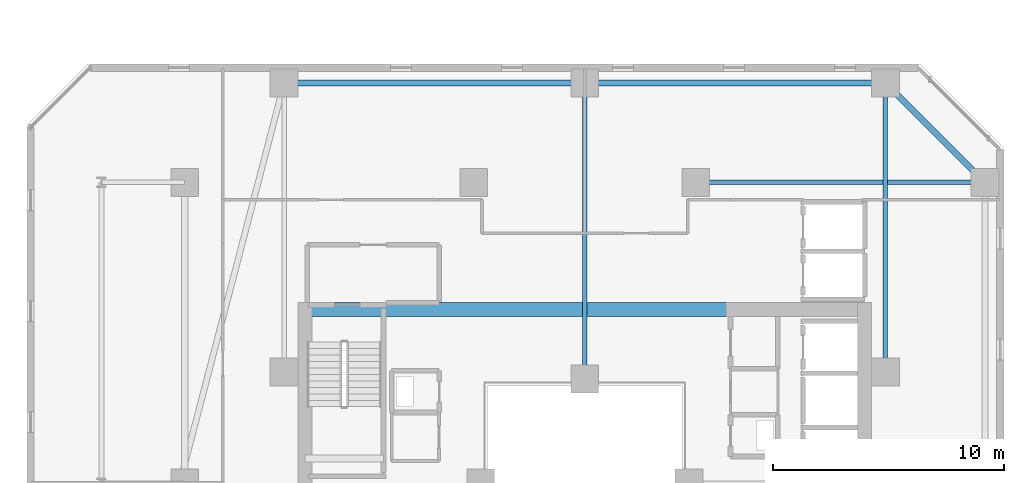
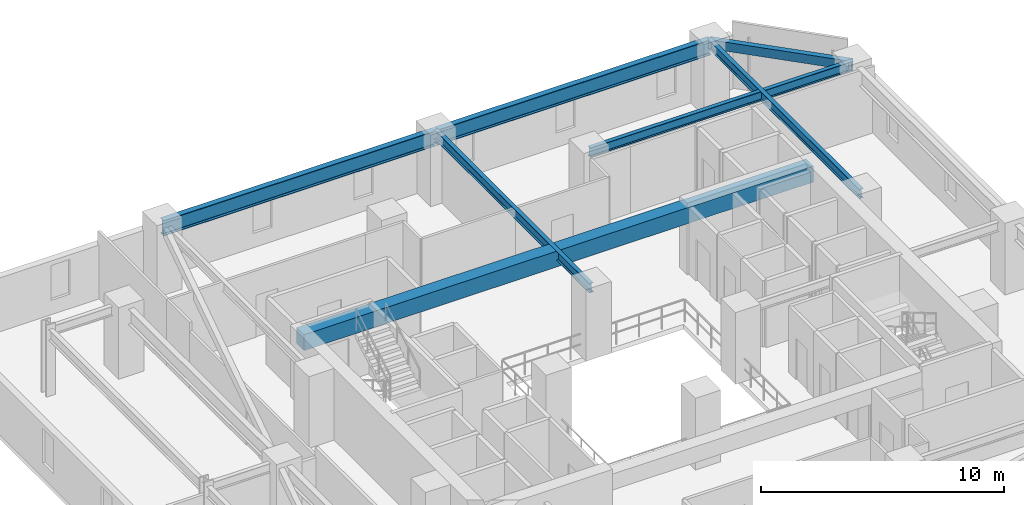
# One storey, part 16 of 33: 7 beams.
"""IFC4 building model written with IfcOpenShell, lengths in metres."""

from ifc_helpers import new_model, si_unit, direction, frame, origin, origin_2d, place, context, subcontext, project, spatial, rectangle, hollow_rectangle, i_section, extrude, material, material_profile, profile_set, type_object, element, save


model = new_model("IFC4")

# Units and contexts
model_context = context("Model", 3, precision=1e-05, world=origin(), true_north=direction((0.0, 1.0)))
body_context = subcontext(model_context, "Body", "Model", "MODEL_VIEW")
ifc_project = project(units=[si_unit("LENGTHUNIT", "METRE"), si_unit("AREAUNIT", "SQUARE_METRE"), si_unit("VOLUMEUNIT", "CUBIC_METRE"), si_unit("PLANEANGLEUNIT", "RADIAN"), si_unit("MASSUNIT", "GRAM", prefix="KILO")], contexts=[model_context])

# Site, building, storey
site_placement = place(None, origin())
site = spatial("IfcSite", under=ifc_project, at=site_placement, CompositionType="ELEMENT")
building_placement = place(site_placement, origin())
building = spatial("IfcBuilding", under=site, at=building_placement, Name="Thornwick Lancets Civic Towers", CompositionType="ELEMENT")
storey_placement = place(building_placement, frame((0.0, 0.0, 105.300048828125)))
storey = spatial("IfcBuildingStorey", under=building, at=storey_placement, Name="L27", CompositionType="ELEMENT", Elevation=105.300048828125)

# Beams
ifc_material_1 = material(Name="Concrete C60/75", Category="concrete")
ifc_material_profile_1 = material_profile(ifc_material_1, rectangle(XDim=0.60009765625, YDim=0.800048828125, at=origin_2d()), Name="RC 600x800")
ifc_profile_set_1 = profile_set([ifc_material_profile_1], Name="Concrete C60/75")
beam_type_1 = type_object("IfcBeamType", Name="BM_COUP_RC800", PredefinedType="BEAM", material=ifc_profile_set_1)
beam_1_placement = place(storey_placement, frame((76.39990234375, 34.5, 2.9599609375), z_axis=(1.0, 0.0, 0.0), x_axis=(0.0, 1.0, 0.0)))
element("IfcBeam", 1, at=beam_1_placement, inside=storey, type_object=beam_type_1, Name="CB-L27-B1", PredefinedType="BEAM", context=body_context, shape_type="SweptSolid", body=[
    extrude(rectangle(XDim=0.60009765625, YDim=0.800048828125, at=origin_2d()), origin(), (0.0, 0.0, 1.0), 24.2001953125),
])
ifc_material_2 = material(Name="Steel S355JR", Category="steel")
ifc_material_profile_2 = material_profile(ifc_material_2, i_section(OverallWidth=0.26806640625, OverallDepth=0.769775390625, WebThickness=0.015625, FlangeThickness=0.025390625, FilletRadius=0.0166015625, at=origin_2d()), Name="UKB 762x267x197")
ifc_profile_set_2 = profile_set([ifc_material_profile_2], Name="Steel S355JR")
beam_type_2 = type_object("IfcBeamType", Name="BM_GIRD_762_197", PredefinedType="BEAM", material=ifc_profile_set_2)
beam_2_placement = place(storey_placement, frame((101.5, 44.300048828125, 2.97509765625), z_axis=(-1.0, 0.0, 0.0), x_axis=(0.0, -1.0, 0.0)))
element("IfcBeam", 2, at=beam_2_placement, inside=storey, type_object=beam_type_2, Name="BM-SPINE-L27-B-3-4", PredefinedType="BEAM", context=body_context, shape_type="SweptSolid", body=[
    extrude(i_section(OverallWidth=0.26806640625, OverallDepth=0.769775390625, WebThickness=0.015625, FlangeThickness=0.025390625, FilletRadius=0.0166015625, at=origin_2d()), origin(), (0.0, 0.0, 1.0), 13.0),
])
beam_3_placement = place(storey_placement, frame((88.419921875, 44.300048828125, 2.97509765625), z_axis=(-1.0, 0.0, 0.0), x_axis=(0.0, -1.0, 0.0)))
element("IfcBeam", 3, at=beam_3_placement, inside=storey, type_object=beam_type_2, Name="BM-SPINE-L27-B-4-5", PredefinedType="BEAM", context=body_context, shape_type="SweptSolid", body=[
    extrude(i_section(OverallWidth=0.26806640625, OverallDepth=0.769775390625, WebThickness=0.015625, FlangeThickness=0.025390625, FilletRadius=0.0166015625, at=origin_2d()), origin(), (0.0, 0.0, 1.0), 12.919921875),
])
ifc_material_profile_3 = material_profile(ifc_material_2, i_section(OverallWidth=0.19287109375, OverallDepth=0.46728515625, WebThickness=0.011474609375, FlangeThickness=0.01953125, FilletRadius=0.01025390625, at=origin_2d()), Name="UKB 457x191x98")
ifc_profile_set_3 = profile_set([ifc_material_profile_3], Name="Steel S355JR")
beam_type_3 = type_object("IfcBeamType", Name="BM_JOIST_457_98", PredefinedType="JOIST", material=ifc_profile_set_3)
for number, where, z_axis, x_axis, name in (
    (4, (93.300048828125, 40.0, 3.12646484375), (1.0, 0.0, 0.0), (0.0, 1.0, 0.0), "BM-RADIN-L27-B03"),
    (5, (101.5, 31.800048828125, 3.12646484375), (0.0, 1.0, 0.0), (-1.0, 0.0, 0.0), "BM-RADIN-L27-B04"),
):
    element("IfcBeam", number, at=place(storey_placement, frame(where, z_axis=z_axis, x_axis=x_axis)), inside=storey, type_object=beam_type_3, Name=name, PredefinedType="JOIST", context=body_context, shape_type="SweptSolid", body=[
        extrude(i_section(OverallWidth=0.19287109375, OverallDepth=0.46728515625, WebThickness=0.011474609375, FlangeThickness=0.01953125, FilletRadius=0.01025390625, at=origin_2d()), origin(), (0.0, 0.0, 1.0), 12.5),
    ])
beam_4_placement = place(storey_placement, frame((88.5, 31.5, 3.12646484375), z_axis=(0.0, 1.0, 0.0), x_axis=(-1.0, 0.0, 0.0)))
element("IfcBeam", 6, at=beam_4_placement, inside=storey, type_object=beam_type_3, Name="BM-RADIN-L27-B05", PredefinedType="JOIST", context=body_context, shape_type="SweptSolid", body=[
    extrude(i_section(OverallWidth=0.19287109375, OverallDepth=0.46728515625, WebThickness=0.011474609375, FlangeThickness=0.01953125, FilletRadius=0.01025390625, at=origin_2d()), origin(), (0.0, 0.0, 1.0), 12.800048828125),
])
ifc_material_profile_4 = material_profile(ifc_material_2, hollow_rectangle(XDim=0.25, YDim=0.449951171875, WallThickness=0.01611328125, at=origin_2d()), Name="RHS 450x250x16")
ifc_profile_set_4 = profile_set([ifc_material_profile_4], Name="Steel S355JR")
beam_type_4 = type_object("IfcBeamType", Name="BM_RING_RHS450", PredefinedType="BEAM", material=ifc_profile_set_4)
beam_5_placement = place(storey_placement, frame((105.800048828125, 40.0, 3.135009765625), z_axis=(-0.707106781187, 0.707106781187, 0.0), x_axis=(-0.707106781187, -0.707106781187, 0.0)))
element("IfcBeam", 7, at=beam_5_placement, inside=storey, type_object=beam_type_4, Name="BM-CHAMF-L27-B-C0", PredefinedType="BEAM", context=body_context, shape_type="SweptSolid", body=[
    extrude(hollow_rectangle(XDim=0.25, YDim=0.449951171875, WallThickness=0.01611328125, at=origin_2d()), origin(), (0.0, 0.0, 1.0), 6.081298828125),
])

save(model, "model.ifc")
